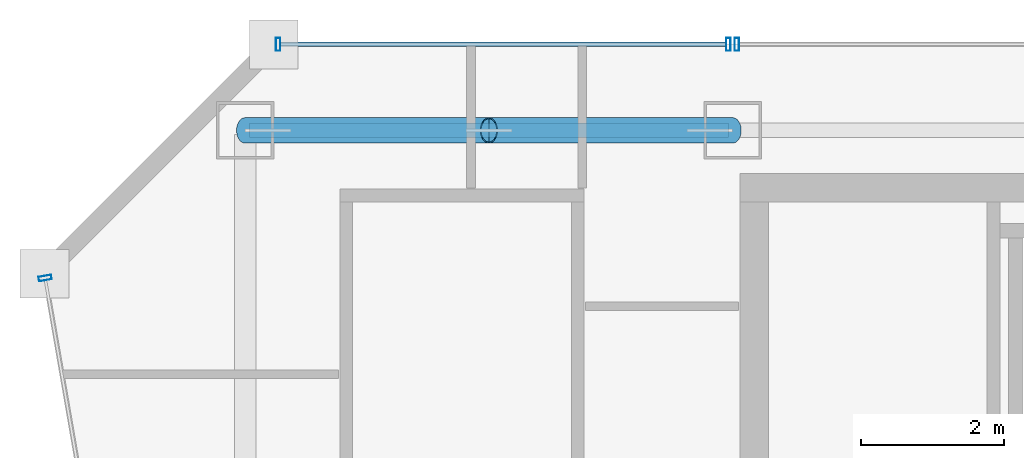
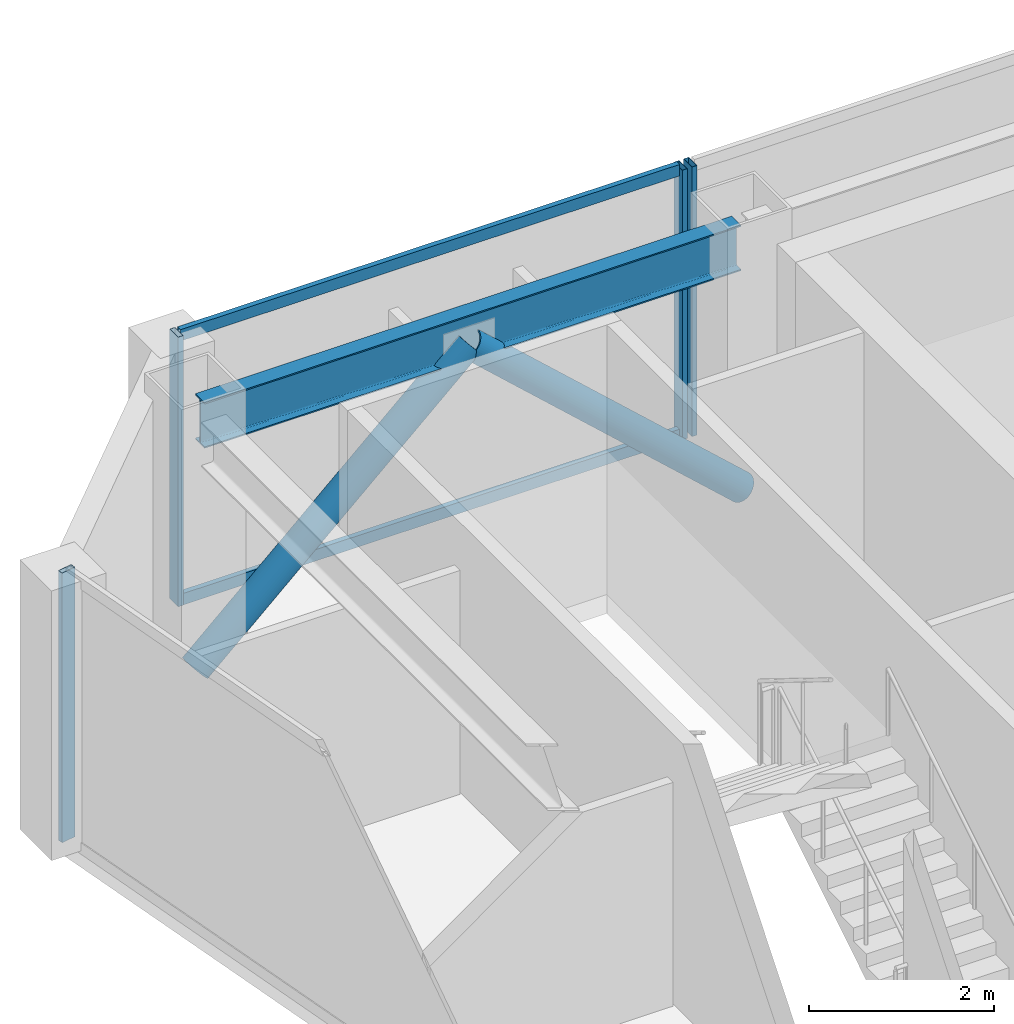
# One storey, part 19 of 32: 8 members, 1 beam, 3 elements without a shape of their own.
"""IFC4 building model written with IfcOpenShell, lengths in metres."""

from ifc_helpers import new_model, si_unit, direction, frame, origin, origin_2d, place, context, subcontext, project, spatial, hollow_rectangle, hollow_circle, i_section, extrude, material, material_profile, profile_set, type_object, element, aggregate, save


model = new_model("IFC4")

# Units and contexts
model_context = context("Model", 3, precision=1e-05, world=origin(), true_north=direction((0.0, 1.0)))
body_context = subcontext(model_context, "Body", "Model", "MODEL_VIEW")
ifc_project = project(units=[si_unit("LENGTHUNIT", "METRE"), si_unit("AREAUNIT", "SQUARE_METRE"), si_unit("VOLUMEUNIT", "CUBIC_METRE"), si_unit("PLANEANGLEUNIT", "RADIAN"), si_unit("MASSUNIT", "GRAM", prefix="KILO")], contexts=[model_context])

# Site, building, storey
site_placement = place(None, origin())
site = spatial("IfcSite", under=ifc_project, at=site_placement, CompositionType="ELEMENT")
building_placement = place(site_placement, origin())
building = spatial("IfcBuilding", under=site, at=building_placement, Name="Saevonmaru Cultural Tower", CompositionType="ELEMENT")
storey_placement = place(building_placement, frame((0.0, 0.0, 242.0)))
storey = spatial("IfcBuildingStorey", under=building, at=storey_placement, Name="L56", CompositionType="ELEMENT", Elevation=242.0)

# Beam
ifc_material_1 = material(Name="Steel SM355", Category="steel")
ifc_material_profile_1 = material_profile(ifc_material_1, i_section(OverallWidth=0.199951171875, OverallDepth=0.60009765625, WebThickness=0.010986328125, FlangeThickness=0.01708984375, FilletRadius=0.02197265625, at=origin_2d()), Name="H-600x200x11x17")
ifc_profile_set_1 = profile_set([ifc_material_profile_1], Name="Steel SM355")
beam_type = type_object("IfcBeamType", Name="BM-SP-H600", PredefinedType="SPANDREL", material=ifc_profile_set_1)
beam_placement = place(storey_placement, frame((6.860107421875, 54.800048828125, 3.25), z_axis=(1.0, 0.0, 0.0), x_axis=(0.0, 1.0, 0.0)))
element("IfcBeam", 1, at=beam_placement, inside=storey, type_object=beam_type, Name="L56 North Spine Girder 1", PredefinedType="SPANDREL", context=body_context, shape_type="SweptSolid", body=[
    extrude(i_section(OverallWidth=0.199951171875, OverallDepth=0.60009765625, WebThickness=0.010986328125, FlangeThickness=0.01708984375, FilletRadius=0.02197265625, at=origin_2d()), origin(), (0.0, 0.0, 1.0), 6.679931640625),
])

# Members
ifc_material_profile_2 = material_profile(ifc_material_1, hollow_circle(Radius=0.177734375, WallThickness=0.01611328125, at=origin_2d()), Name="CHS-355.6x16")
ifc_profile_set_2 = profile_set([ifc_material_profile_2], Name="Steel SM355")
member_type_1 = type_object("IfcMemberType", Name="MB-PBR-CHS356", PredefinedType="BRACE", material=ifc_profile_set_2)
member_1_placement = place(storey_placement, frame((6.800048828125, 54.800048828125, 0.02001953125), z_axis=(0.738935641579, 0.0, 0.673776014417), x_axis=(0.0, 1.0, 0.0)))
element("IfcMember", 2, at=member_1_placement, inside=storey, type_object=member_type_1, Name="L56 Perimeter Braced-Tube Diagonal WN1", PredefinedType="BRACE", context=body_context, shape_type="SweptSolid", body=[
    extrude(hollow_circle(Radius=0.177734375, WallThickness=0.01611328125, at=origin_2d()), origin(), (0.0, 0.0, 1.0), 4.60107421875),
])
member_2_placement = place(storey_placement, frame((13.60009765625, 54.800048828125, 0.02001953125), z_axis=(-0.738959728749, 0.0, 0.673749596873), x_axis=(0.0, -1.0, 0.0)))
element("IfcMember", 3, at=member_2_placement, inside=storey, type_object=member_type_1, Name="L56 Perimeter Braced-Tube Diagonal WN2", PredefinedType="BRACE", context=body_context, shape_type="SweptSolid", body=[
    extrude(hollow_circle(Radius=0.177734375, WallThickness=0.01611328125, at=origin_2d()), origin(), (0.0, 0.0, 1.0), 4.601318359375),
])

# Curtain wall, member
ifc_material_2 = material(Name="Satin Bronze Anodised Aluminium", Category="aluminium")
curtain_wall_type = type_object("IfcCurtainWallType", Name="CW-TYP-B", PredefinedType="NOTDEFINED", material=ifc_material_2)
curtain_wall_1_placement = place(storey_placement, origin())
curtain_wall_1 = element("IfcCurtainWall", 4, at=curtain_wall_1_placement, inside=storey, type_object=curtain_wall_type, Name="L56 North Spine Unitised Curtain Wall E10B", PredefinedType="NOTDEFINED")
ifc_material_profile_3 = material_profile(ifc_material_2, hollow_rectangle(XDim=0.06494140625, YDim=0.179931640625, WallThickness=0.00390625, at=origin_2d()), Name="ALU-MULL-180x65x4")
ifc_profile_set_3 = profile_set([ifc_material_profile_3], Name="Satin Bronze Anodised Aluminium")
member_type_2 = type_object("IfcMemberType", Name="ML-CW-180x65", PredefinedType="MULLION", material=ifc_profile_set_3)
member_3_placement = place(storey_placement, frame((13.659912109375, 56.0, 0.0), z_axis=(0.0, 0.0, 1.0), x_axis=(-1.0, 0.0, 0.0)))
member_3 = element("IfcMember", 5, at=member_3_placement, type_object=member_type_2, Name="CW-TW-L56-E10B mullion 4", PredefinedType="MULLION", context=body_context, shape_type="SweptSolid", body=[
    extrude(hollow_rectangle(XDim=0.06494140625, YDim=0.179931640625, WallThickness=0.00390625, at=origin_2d()), origin(), (0.0, 0.0, 1.0), 3.550048828125),
])
aggregate(curtain_wall_1, [member_3])

# Curtain wall, members
curtain_wall_2_placement = place(storey_placement, origin())
curtain_wall_2 = element("IfcCurtainWall", 6, at=curtain_wall_2_placement, inside=storey, type_object=curtain_wall_type, Name="L56 West Braced Bay Spandrel Curtain Wall E10C", PredefinedType="NOTDEFINED")
member_4_placement = place(storey_placement, frame((13.5400390625, 56.0, 0.0), z_axis=(0.0, 0.0, 1.0), x_axis=(-1.0, 0.0, 0.0)))
member_4 = element("IfcMember", 7, at=member_4_placement, type_object=member_type_2, Name="CW-TW-L56-E10C mullion 1", PredefinedType="MULLION", context=body_context, shape_type="SweptSolid", body=[
    extrude(hollow_rectangle(XDim=0.06494140625, YDim=0.179931640625, WallThickness=0.00390625, at=origin_2d()), origin(), (0.0, 0.0, 1.0), 3.550048828125),
])
member_5_placement = place(storey_placement, frame((7.260009765625, 56.0, 0.0), z_axis=(0.0, 0.0, 1.0), x_axis=(-1.0, 0.0, 0.0)))
member_5 = element("IfcMember", 8, at=member_5_placement, type_object=member_type_2, Name="CW-TW-L56-E10C mullion 2", PredefinedType="MULLION", context=body_context, shape_type="SweptSolid", body=[
    extrude(hollow_rectangle(XDim=0.06494140625, YDim=0.179931640625, WallThickness=0.00390625, at=origin_2d()), origin(), (0.0, 0.0, 1.0), 3.550048828125),
])

# Curtain wall, member
curtain_wall_3_placement = place(storey_placement, origin())
curtain_wall_3 = element("IfcCurtainWall", 9, at=curtain_wall_3_placement, inside=storey, type_object=curtain_wall_type, Name="L56 Unitised Curtain Wall E12", PredefinedType="NOTDEFINED")
member_6_placement = place(storey_placement, frame((4.01025390625, 52.740966796875, 0.0), z_axis=(0.0, 0.0, 1.0), x_axis=(0.170790369887, -0.985307388359, 0.0)))
member_6 = element("IfcMember", 10, at=member_6_placement, type_object=member_type_2, Name="CW-TW-L56-E12 mullion 1", PredefinedType="MULLION", context=body_context, shape_type="SweptSolid", body=[
    extrude(hollow_rectangle(XDim=0.06494140625, YDim=0.179931640625, WallThickness=0.00390625, at=origin_2d()), origin(), (0.0, 0.0, 1.0), 3.550048828125),
])
aggregate(curtain_wall_3, [member_6])

# Member
ifc_material_profile_4 = material_profile(ifc_material_2, hollow_rectangle(XDim=0.06494140625, YDim=0.14990234375, WallThickness=0.00390625, at=origin_2d()), Name="ALU-TRAN-150x65x4")
ifc_profile_set_4 = profile_set([ifc_material_profile_4], Name="Satin Bronze Anodised Aluminium")
member_type_3 = type_object("IfcMemberType", Name="TR-CW-150x65", PredefinedType="USERDEFINED", material=ifc_profile_set_4)
member_7_placement = place(storey_placement, frame((13.507568359375, 56.0, 0.032470703125), z_axis=(-1.0, 0.0, 0.0), x_axis=(0.0, -1.0, 0.0)))
member_7 = element("IfcMember", 11, at=member_7_placement, type_object=member_type_3, Name="CW-TW-L56-E10C transom 1.1", ObjectType="TRANSOM", PredefinedType="USERDEFINED", context=body_context, shape_type="SweptSolid", body=[
    extrude(hollow_rectangle(XDim=0.06494140625, YDim=0.14990234375, WallThickness=0.00390625, at=origin_2d()), origin(), (0.0, 0.0, 1.0), 6.215087890625),
])

member_8_placement = place(storey_placement, frame((13.507568359375, 56.0, 3.517578125), z_axis=(-1.0, 0.0, 0.0), x_axis=(0.0, -1.0, 0.0)))
member_8 = element("IfcMember", 12, at=member_8_placement, type_object=member_type_3, Name="CW-TW-L56-E10C transom 1.2", ObjectType="TRANSOM", PredefinedType="USERDEFINED", context=body_context, shape_type="SweptSolid", body=[
    extrude(hollow_rectangle(XDim=0.06494140625, YDim=0.14990234375, WallThickness=0.00390625, at=origin_2d()), origin(), (0.0, 0.0, 1.0), 6.215087890625),
])

aggregate(curtain_wall_2, [member_4, member_5, member_7, member_8])

save(model, "model.ifc")
